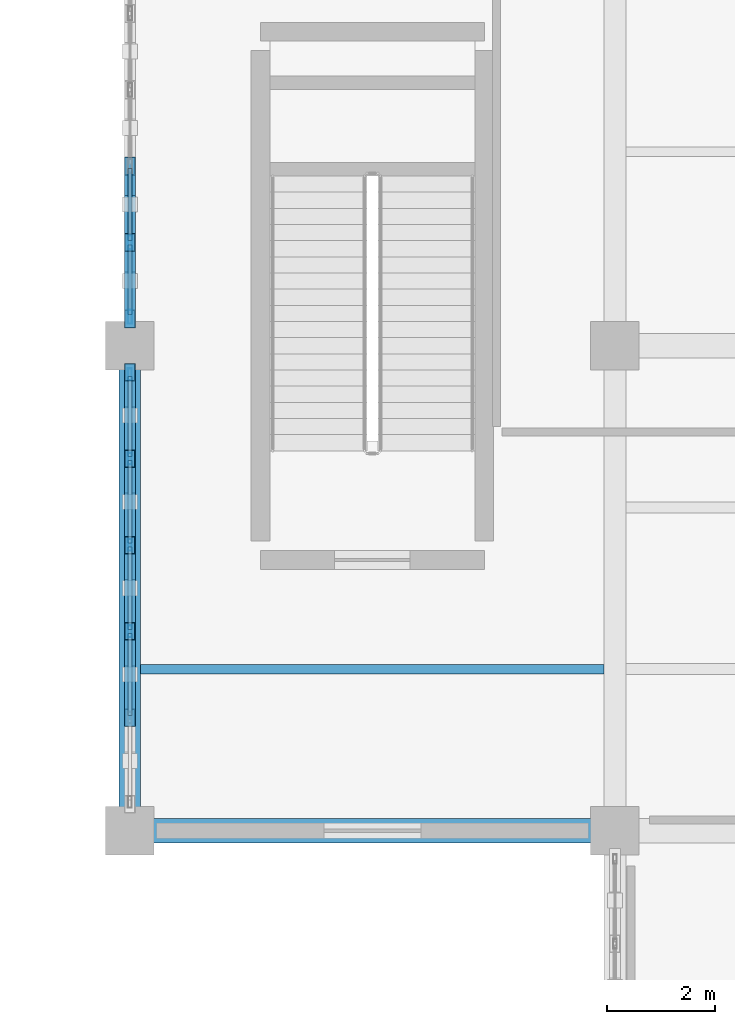
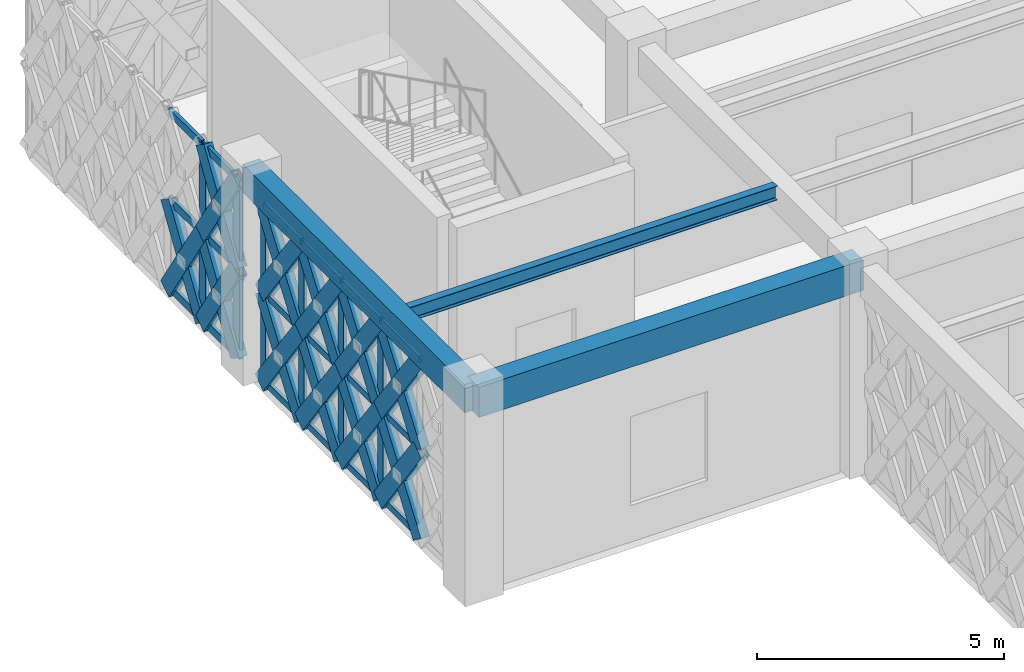
# One storey, part 70 of 166: 57 members, 3 beams, 2 elements without a shape of their own.
"""IFC4 building model written with IfcOpenShell, lengths in metres."""

from ifc_helpers import new_model, si_unit, direction, frame, origin, origin_2d, place, context, subcontext, project, spatial, rectangle, hollow_rectangle, i_section, extrude, material, material_profile, profile_set, type_object, element, aggregate, save


model = new_model("IFC4")

# Units and contexts
model_context = context("Model", 3, precision=1e-05, world=origin(), true_north=direction((0.0, 1.0)))
body_context = subcontext(model_context, "Body", "Model", "MODEL_VIEW")
ifc_project = project(units=[si_unit("LENGTHUNIT", "METRE"), si_unit("AREAUNIT", "SQUARE_METRE"), si_unit("VOLUMEUNIT", "CUBIC_METRE"), si_unit("PLANEANGLEUNIT", "RADIAN"), si_unit("MASSUNIT", "GRAM", prefix="KILO")], contexts=[model_context])

# Site, building, storey
site_placement = place(None, origin())
site = spatial("IfcSite", under=ifc_project, at=site_placement, CompositionType="ELEMENT")
building_placement = place(site_placement, origin())
building = spatial("IfcBuilding", under=site, at=building_placement, Name="Haizhuo Lancet Aquarium", CompositionType="ELEMENT")
storey_placement = place(building_placement, frame((0.0, 0.0, 5.39990234375)))
storey = spatial("IfcBuildingStorey", under=building, at=storey_placement, Name="L01", CompositionType="ELEMENT", Elevation=5.39990234375)

# Beams
ifc_material_1 = material(Name="Concrete C40/50", Category="concrete")
ifc_material_profile_1 = material_profile(ifc_material_1, rectangle(XDim=0.39990234375, YDim=0.699951171875, at=origin_2d()), Name="RC-BM 400x700")
ifc_profile_set_1 = profile_set([ifc_material_profile_1], Name="Concrete C40/50")
beam_type_1 = type_object("IfcBeamType", Name="BM-RC-400x700", PredefinedType="BEAM", material=ifc_profile_set_1)
beam_1_placement = place(storey_placement, frame((-27.0, 36.0, 4.7900390625), z_axis=(0.0, 1.0, 0.0), x_axis=(-1.0, 0.0, 0.0)))
element("IfcBeam", 1, at=beam_1_placement, inside=storey, type_object=beam_type_1, Name="L01 V5 primary girder BM-L01-V5-001", PredefinedType="BEAM", context=body_context, shape_type="SweptSolid", body=[
    extrude(rectangle(XDim=0.39990234375, YDim=0.699951171875, at=origin_2d()), origin(), (0.0, 0.0, 1.0), 9.0),
])
ifc_material_profile_2 = material_profile(ifc_material_1, rectangle(XDim=0.449951171875, YDim=0.75, at=origin_2d()), Name="RC-BM 450x750")
ifc_profile_set_2 = profile_set([ifc_material_profile_2], Name="Concrete C40/50")
beam_type_2 = type_object("IfcBeamType", Name="BM-RC-450x750", PredefinedType="BEAM", material=ifc_profile_set_2)
beam_2_placement = place(storey_placement, frame((-27.0, 36.0, 4.76513671875), z_axis=(1.0, 0.0, 0.0), x_axis=(0.0, 1.0, 0.0)))
element("IfcBeam", 2, at=beam_2_placement, inside=storey, type_object=beam_type_2, Name="L01 V5 primary girder BM-L01-V5-002", PredefinedType="BEAM", context=body_context, shape_type="SweptSolid", body=[
    extrude(rectangle(XDim=0.449951171875, YDim=0.75, at=origin_2d()), origin(), (0.0, 0.0, 1.0), 9.0),
])

# Curtain wall, members
ifc_material_2 = material(Name="Aluminium 6063-T6", Category="aluminium")
curtain_wall_type_1 = type_object("IfcCurtainWallType", Name="CWD-8010x4440", PredefinedType="NOTDEFINED", material=ifc_material_2)
curtain_wall_1_placement = place(storey_placement, origin())
curtain_wall_1 = element("IfcCurtainWall", 3, at=curtain_wall_1_placement, inside=storey, type_object=curtain_wall_type_1, Name="L01 curtain wall CW-V5-L01-128", PredefinedType="NOTDEFINED")
ifc_material_profile_3 = material_profile(ifc_material_2, hollow_rectangle(XDim=0.074951171875, YDim=0.219970703125, WallThickness=0.0048828125, at=origin_2d()), Name="ALU-M 75x220x5")
ifc_profile_set_3 = profile_set([ifc_material_profile_3], Name="Aluminium 6063-T6")
member_type_1 = type_object("IfcMemberType", Name="CW-MUL-2", PredefinedType="MULLION", material=ifc_profile_set_3)
member_1_placement = place(storey_placement, frame((-27.0, 39.698974609375, 0.0), z_axis=(0.0, 0.0, 1.0), x_axis=(-1.0, 0.0, 0.0)))
member_1 = element("IfcMember", 4, at=member_1_placement, type_object=member_type_1, Name="CWD-80x44 mullion 3", PredefinedType="MULLION", context=body_context, shape_type="SweptSolid", body=[
    extrude(hollow_rectangle(XDim=0.074951171875, YDim=0.219970703125, WallThickness=0.0048828125, at=origin_2d()), origin(), (0.0, 0.0, 1.0), 4.440185546875),
])
member_2_placement = place(storey_placement, frame((-27.0, 41.301025390625, 0.0), z_axis=(0.0, 0.0, 1.0), x_axis=(-1.0, 0.0, 0.0)))
member_2 = element("IfcMember", 5, at=member_2_placement, type_object=member_type_1, Name="CWD-80x44 mullion 4", PredefinedType="MULLION", context=body_context, shape_type="SweptSolid", body=[
    extrude(hollow_rectangle(XDim=0.074951171875, YDim=0.219970703125, WallThickness=0.0048828125, at=origin_2d()), origin(), (0.0, 0.0, 1.0), 4.440185546875),
])
member_3_placement = place(storey_placement, frame((-27.0, 42.903076171875, 0.0), z_axis=(0.0, 0.0, 1.0), x_axis=(-1.0, 0.0, 0.0)))
member_3 = element("IfcMember", 6, at=member_3_placement, type_object=member_type_1, Name="CWD-80x44 mullion 5", PredefinedType="MULLION", context=body_context, shape_type="SweptSolid", body=[
    extrude(hollow_rectangle(XDim=0.074951171875, YDim=0.219970703125, WallThickness=0.0048828125, at=origin_2d()), origin(), (0.0, 0.0, 1.0), 4.440185546875),
])
member_4_placement = place(storey_placement, frame((-27.0, 44.468017578125, 0.0), z_axis=(0.0, 0.0, 1.0), x_axis=(-1.0, 0.0, 0.0)))
member_4 = element("IfcMember", 7, at=member_4_placement, type_object=member_type_1, Name="CWD-80x44 mullion 6", PredefinedType="MULLION", context=body_context, shape_type="SweptSolid", body=[
    extrude(hollow_rectangle(XDim=0.074951171875, YDim=0.219970703125, WallThickness=0.0048828125, at=origin_2d()), origin(), (0.0, 0.0, 1.0), 4.440185546875),
])

curtain_wall_type_2 = type_object("IfcCurtainWallType", Name="CWD-8510x4420", PredefinedType="NOTDEFINED", material=ifc_material_2)
curtain_wall_2_placement = place(storey_placement, origin())
curtain_wall_2 = element("IfcCurtainWall", 8, at=curtain_wall_2_placement, inside=storey, type_object=curtain_wall_type_2, Name="L01 curtain wall CW-V5-L01-129", PredefinedType="NOTDEFINED")
ifc_material_profile_4 = material_profile(ifc_material_2, hollow_rectangle(XDim=0.080078125, YDim=0.260009765625, WallThickness=0.0048828125, at=origin_2d()), Name="ALU-M 80x260x5")
ifc_profile_set_4 = profile_set([ifc_material_profile_4], Name="Aluminium 6063-T6")
member_type_2 = type_object("IfcMemberType", Name="CW-MUL-3", PredefinedType="MULLION", material=ifc_profile_set_4)
member_5_placement = place(storey_placement, frame((-27.0, 45.534912109375, 0.0), z_axis=(0.0, 0.0, 1.0), x_axis=(-1.0, 0.0, 0.0)))
member_5 = element("IfcMember", 9, at=member_5_placement, type_object=member_type_2, Name="CWD-85x44 mullion 1", PredefinedType="MULLION", context=body_context, shape_type="SweptSolid", body=[
    extrude(hollow_rectangle(XDim=0.080078125, YDim=0.260009765625, WallThickness=0.0048828125, at=origin_2d()), origin(), (0.0, 0.0, 1.0), 4.425048828125),
])
member_6_placement = place(storey_placement, frame((-27.0, 46.912109375, 0.0), z_axis=(0.0, 0.0, 1.0), x_axis=(-1.0, 0.0, 0.0)))
member_6 = element("IfcMember", 10, at=member_6_placement, type_object=member_type_2, Name="CWD-85x44 mullion 2", PredefinedType="MULLION", context=body_context, shape_type="SweptSolid", body=[
    extrude(hollow_rectangle(XDim=0.080078125, YDim=0.260009765625, WallThickness=0.0048828125, at=origin_2d()), origin(), (0.0, 0.0, 1.0), 4.425048828125),
])

# Member
ifc_material_profile_5 = material_profile(ifc_material_2, hollow_rectangle(XDim=0.074951171875, YDim=0.159912109375, WallThickness=0.00390625, at=origin_2d()), Name="ALU-T 75x160x4")
ifc_profile_set_5 = profile_set([ifc_material_profile_5], Name="Aluminium 6063-T6")
member_type_3 = type_object("IfcMemberType", Name="CW-TRN-2", PredefinedType="NOTDEFINED", material=ifc_profile_set_5)
member_7_placement = place(storey_placement, frame((-27.0, 38.134033203125, 0.0380859375), z_axis=(0.0, 1.0, 0.0), x_axis=(-1.0, 0.0, 0.0)))
member_7 = element("IfcMember", 11, at=member_7_placement, type_object=member_type_3, Name="CWD-80x44 transom 2.1", ObjectType="TRANSOM", PredefinedType="USERDEFINED", context=body_context, shape_type="SweptSolid", body=[
    extrude(hollow_rectangle(XDim=0.074951171875, YDim=0.159912109375, WallThickness=0.00390625, at=origin_2d()), origin(), (0.0, 0.0, 1.0), 1.52685546875),
])

member_8_placement = place(storey_placement, frame((-27.0, 38.134033203125, 2.22021484375), z_axis=(0.0, 1.0, 0.0), x_axis=(-1.0, 0.0, 0.0)))
member_8 = element("IfcMember", 12, at=member_8_placement, type_object=member_type_3, Name="CWD-80x44 transom 2.2", ObjectType="TRANSOM", PredefinedType="USERDEFINED", context=body_context, shape_type="SweptSolid", body=[
    extrude(hollow_rectangle(XDim=0.074951171875, YDim=0.159912109375, WallThickness=0.00390625, at=origin_2d()), origin(), (0.0, 0.0, 1.0), 1.52685546875),
])

member_9_placement = place(storey_placement, frame((-27.0, 38.134033203125, 4.403076171875), z_axis=(0.0, 1.0, 0.0), x_axis=(-1.0, 0.0, 0.0)))
member_9 = element("IfcMember", 13, at=member_9_placement, type_object=member_type_3, Name="CWD-80x44 transom 2.3", ObjectType="TRANSOM", PredefinedType="USERDEFINED", context=body_context, shape_type="SweptSolid", body=[
    extrude(hollow_rectangle(XDim=0.074951171875, YDim=0.159912109375, WallThickness=0.00390625, at=origin_2d()), origin(), (0.0, 0.0, 1.0), 1.52685546875),
])

member_10_placement = place(storey_placement, frame((-27.0, 39.736083984375, 0.0380859375), z_axis=(0.0, 1.0, 0.0), x_axis=(-1.0, 0.0, 0.0)))
member_10 = element("IfcMember", 14, at=member_10_placement, type_object=member_type_3, Name="CWD-80x44 transom 3.1", ObjectType="TRANSOM", PredefinedType="USERDEFINED", context=body_context, shape_type="SweptSolid", body=[
    extrude(hollow_rectangle(XDim=0.074951171875, YDim=0.159912109375, WallThickness=0.00390625, at=origin_2d()), origin(), (0.0, 0.0, 1.0), 1.52783203125),
])

member_11_placement = place(storey_placement, frame((-27.0, 39.736083984375, 2.22021484375), z_axis=(0.0, 1.0, 0.0), x_axis=(-1.0, 0.0, 0.0)))
member_11 = element("IfcMember", 15, at=member_11_placement, type_object=member_type_3, Name="CWD-80x44 transom 3.2", ObjectType="TRANSOM", PredefinedType="USERDEFINED", context=body_context, shape_type="SweptSolid", body=[
    extrude(hollow_rectangle(XDim=0.074951171875, YDim=0.159912109375, WallThickness=0.00390625, at=origin_2d()), origin(), (0.0, 0.0, 1.0), 1.52783203125),
])

member_12_placement = place(storey_placement, frame((-27.0, 39.736083984375, 4.403076171875), z_axis=(0.0, 1.0, 0.0), x_axis=(-1.0, 0.0, 0.0)))
member_12 = element("IfcMember", 16, at=member_12_placement, type_object=member_type_3, Name="CWD-80x44 transom 3.3", ObjectType="TRANSOM", PredefinedType="USERDEFINED", context=body_context, shape_type="SweptSolid", body=[
    extrude(hollow_rectangle(XDim=0.074951171875, YDim=0.159912109375, WallThickness=0.00390625, at=origin_2d()), origin(), (0.0, 0.0, 1.0), 1.52783203125),
])

member_13_placement = place(storey_placement, frame((-27.0, 41.337890625, 0.0380859375), z_axis=(0.0, 1.0, 0.0), x_axis=(-1.0, 0.0, 0.0)))
member_13 = element("IfcMember", 17, at=member_13_placement, type_object=member_type_3, Name="CWD-80x44 transom 4.1", ObjectType="TRANSOM", PredefinedType="USERDEFINED", context=body_context, shape_type="SweptSolid", body=[
    extrude(hollow_rectangle(XDim=0.074951171875, YDim=0.159912109375, WallThickness=0.00390625, at=origin_2d()), origin(), (0.0, 0.0, 1.0), 1.528076171875),
])

member_14_placement = place(storey_placement, frame((-27.0, 41.337890625, 2.22021484375), z_axis=(0.0, 1.0, 0.0), x_axis=(-1.0, 0.0, 0.0)))
member_14 = element("IfcMember", 18, at=member_14_placement, type_object=member_type_3, Name="CWD-80x44 transom 4.2", ObjectType="TRANSOM", PredefinedType="USERDEFINED", context=body_context, shape_type="SweptSolid", body=[
    extrude(hollow_rectangle(XDim=0.074951171875, YDim=0.159912109375, WallThickness=0.00390625, at=origin_2d()), origin(), (0.0, 0.0, 1.0), 1.528076171875),
])

member_15_placement = place(storey_placement, frame((-27.0, 41.337890625, 4.403076171875), z_axis=(0.0, 1.0, 0.0), x_axis=(-1.0, 0.0, 0.0)))
member_15 = element("IfcMember", 19, at=member_15_placement, type_object=member_type_3, Name="CWD-80x44 transom 4.3", ObjectType="TRANSOM", PredefinedType="USERDEFINED", context=body_context, shape_type="SweptSolid", body=[
    extrude(hollow_rectangle(XDim=0.074951171875, YDim=0.159912109375, WallThickness=0.00390625, at=origin_2d()), origin(), (0.0, 0.0, 1.0), 1.528076171875),
])

member_16_placement = place(storey_placement, frame((-27.0, 42.94091796875, 0.0380859375), z_axis=(0.0, 1.0, 0.0), x_axis=(-1.0, 0.0, 0.0)))
member_16 = element("IfcMember", 20, at=member_16_placement, type_object=member_type_3, Name="CWD-80x44 transom 5.1", ObjectType="TRANSOM", PredefinedType="USERDEFINED", context=body_context, shape_type="SweptSolid", body=[
    extrude(hollow_rectangle(XDim=0.074951171875, YDim=0.159912109375, WallThickness=0.00390625, at=origin_2d()), origin(), (0.0, 0.0, 1.0), 1.489013671875),
])

member_17_placement = place(storey_placement, frame((-27.0, 42.94091796875, 2.22021484375), z_axis=(0.0, 1.0, 0.0), x_axis=(-1.0, 0.0, 0.0)))
member_17 = element("IfcMember", 21, at=member_17_placement, type_object=member_type_3, Name="CWD-80x44 transom 5.2", ObjectType="TRANSOM", PredefinedType="USERDEFINED", context=body_context, shape_type="SweptSolid", body=[
    extrude(hollow_rectangle(XDim=0.074951171875, YDim=0.159912109375, WallThickness=0.00390625, at=origin_2d()), origin(), (0.0, 0.0, 1.0), 1.489013671875),
])

member_18_placement = place(storey_placement, frame((-27.0, 42.94091796875, 4.403076171875), z_axis=(0.0, 1.0, 0.0), x_axis=(-1.0, 0.0, 0.0)))
member_18 = element("IfcMember", 22, at=member_18_placement, type_object=member_type_3, Name="CWD-80x44 transom 5.3", ObjectType="TRANSOM", PredefinedType="USERDEFINED", context=body_context, shape_type="SweptSolid", body=[
    extrude(hollow_rectangle(XDim=0.074951171875, YDim=0.159912109375, WallThickness=0.00390625, at=origin_2d()), origin(), (0.0, 0.0, 1.0), 1.489013671875),
])

aggregate(curtain_wall_1, [member_1, member_2, member_3, member_4, member_7, member_8, member_9, member_10, member_11, member_12, member_13, member_14, member_15, member_16, member_17, member_18])

ifc_material_profile_6 = material_profile(ifc_material_2, hollow_rectangle(XDim=0.080078125, YDim=0.18994140625, WallThickness=0.0048828125, at=origin_2d()), Name="ALU-T 80x190x5")
ifc_profile_set_6 = profile_set([ifc_material_profile_6], Name="Aluminium 6063-T6")
member_type_4 = type_object("IfcMemberType", Name="CW-TRN-3", PredefinedType="NOTDEFINED", material=ifc_profile_set_6)
member_19_placement = place(storey_placement, frame((-27.0, 45.574951171875, 0.0400390625), z_axis=(0.0, 1.0, 0.0), x_axis=(-1.0, 0.0, 0.0)))
member_19 = element("IfcMember", 23, at=member_19_placement, type_object=member_type_4, Name="CWD-85x44 transom 1.1", ObjectType="TRANSOM", PredefinedType="USERDEFINED", context=body_context, shape_type="SweptSolid", body=[
    extrude(hollow_rectangle(XDim=0.080078125, YDim=0.18994140625, WallThickness=0.0048828125, at=origin_2d()), origin(), (0.0, 0.0, 1.0), 1.297119140625),
])

member_20_placement = place(storey_placement, frame((-27.0, 45.574951171875, 2.212158203125), z_axis=(0.0, 1.0, 0.0), x_axis=(-1.0, 0.0, 0.0)))
member_20 = element("IfcMember", 24, at=member_20_placement, type_object=member_type_4, Name="CWD-85x44 transom 1.2", ObjectType="TRANSOM", PredefinedType="USERDEFINED", context=body_context, shape_type="SweptSolid", body=[
    extrude(hollow_rectangle(XDim=0.080078125, YDim=0.18994140625, WallThickness=0.0048828125, at=origin_2d()), origin(), (0.0, 0.0, 1.0), 1.297119140625),
])

member_21_placement = place(storey_placement, frame((-27.0, 45.574951171875, 4.385009765625), z_axis=(0.0, 1.0, 0.0), x_axis=(-1.0, 0.0, 0.0)))
member_21 = element("IfcMember", 25, at=member_21_placement, type_object=member_type_4, Name="CWD-85x44 transom 1.3", ObjectType="TRANSOM", PredefinedType="USERDEFINED", context=body_context, shape_type="SweptSolid", body=[
    extrude(hollow_rectangle(XDim=0.080078125, YDim=0.18994140625, WallThickness=0.0048828125, at=origin_2d()), origin(), (0.0, 0.0, 1.0), 1.297119140625),
])

member_22_placement = place(storey_placement, frame((-27.0, 46.952880859375, 0.0400390625), z_axis=(0.0, 1.0, 0.0), x_axis=(-1.0, 0.0, 0.0)))
member_22 = element("IfcMember", 26, at=member_22_placement, type_object=member_type_4, Name="CWD-85x44 transom 2.1", ObjectType="TRANSOM", PredefinedType="USERDEFINED", context=body_context, shape_type="SweptSolid", body=[
    extrude(hollow_rectangle(XDim=0.080078125, YDim=0.18994140625, WallThickness=0.0048828125, at=origin_2d()), origin(), (0.0, 0.0, 1.0), 1.337158203125),
])

member_23_placement = place(storey_placement, frame((-27.0, 46.952880859375, 2.212158203125), z_axis=(0.0, 1.0, 0.0), x_axis=(-1.0, 0.0, 0.0)))
member_23 = element("IfcMember", 27, at=member_23_placement, type_object=member_type_4, Name="CWD-85x44 transom 2.2", ObjectType="TRANSOM", PredefinedType="USERDEFINED", context=body_context, shape_type="SweptSolid", body=[
    extrude(hollow_rectangle(XDim=0.080078125, YDim=0.18994140625, WallThickness=0.0048828125, at=origin_2d()), origin(), (0.0, 0.0, 1.0), 1.337158203125),
])

member_24_placement = place(storey_placement, frame((-27.0, 46.952880859375, 4.385009765625), z_axis=(0.0, 1.0, 0.0), x_axis=(-1.0, 0.0, 0.0)))
member_24 = element("IfcMember", 28, at=member_24_placement, type_object=member_type_4, Name="CWD-85x44 transom 2.3", ObjectType="TRANSOM", PredefinedType="USERDEFINED", context=body_context, shape_type="SweptSolid", body=[
    extrude(hollow_rectangle(XDim=0.080078125, YDim=0.18994140625, WallThickness=0.0048828125, at=origin_2d()), origin(), (0.0, 0.0, 1.0), 1.337158203125),
])

aggregate(curtain_wall_2, [member_5, member_6, member_19, member_20, member_21, member_22, member_23, member_24])

# Beam
ifc_material_3 = material(Name="Steel S355", Category="steel")
ifc_material_profile_7 = material_profile(ifc_material_3, i_section(OverallWidth=0.175048828125, OverallDepth=0.35009765625, WebThickness=0.007080078125, FlangeThickness=0.010986328125, FilletRadius=0.013916015625, at=origin_2d()), Name="HN 350x175x7x11")
ifc_profile_set_7 = profile_set([ifc_material_profile_7], Name="Steel S355")
beam_type_3 = type_object("IfcBeamType", Name="JST-ST-HN350", PredefinedType="JOIST", material=ifc_profile_set_7)
beam_3_placement = place(storey_placement, frame((-26.800048828125, 39.0, 4.965087890625), z_axis=(1.0, 0.0, 0.0), x_axis=(0.0, 1.0, 0.0)))
element("IfcBeam", 29, at=beam_3_placement, inside=storey, type_object=beam_type_3, Name="L01 V5 secondary floor joist 1", PredefinedType="JOIST", context=body_context, shape_type="SweptSolid", body=[
    extrude(i_section(OverallWidth=0.175048828125, OverallDepth=0.35009765625, WebThickness=0.007080078125, FlangeThickness=0.010986328125, FilletRadius=0.013916015625, at=origin_2d()), origin(), (0.0, 0.0, 1.0), 8.60009765625),
])

# Members
ifc_material_profile_8 = material_profile(ifc_material_3, hollow_rectangle(XDim=0.199951171875, YDim=0.39990234375, WallThickness=0.011962890625, at=origin_2d()), Name="RHS 200x400x12")
ifc_profile_set_8 = profile_set([ifc_material_profile_8], Name="Steel S355")
member_type_5 = type_object("IfcMemberType", Name="MEM-LB-RHS200x400", PredefinedType="BRACE", material=ifc_profile_set_8)
member_25_placement = place(storey_placement, frame((-27.0, 38.096923828125, 0.0), z_axis=(0.0, 0.585145389624, 0.810928401896), x_axis=(-1.0, 0.0, 0.0)))
element("IfcMember", 30, at=member_25_placement, inside=storey, type_object=member_type_5, Name="Gothic lancet continuous diagonal brace CW-V5-L01-128 3A", PredefinedType="BRACE", context=body_context, shape_type="SweptSolid", body=[
    extrude(hollow_rectangle(XDim=0.199951171875, YDim=0.39990234375, WallThickness=0.011962890625, at=origin_2d()), origin(), (0.0, 0.0, 1.0), 2.73779296875),
])
for number, where, z_axis, x_axis, name in (
    (31, (-27.0, 39.698974609375, 0.0), (0.0, -0.585145389624, 0.810928401896), (1.0, 0.0, 0.0), "Gothic lancet split diagonal brace CW-V5-L01-128 3B1"),
    (32, (-27.0, 38.89794921875, 1.110107421875), (0.0, -0.585145389624, 0.810928401896), (1.0, 0.0, 0.0), "Gothic lancet split diagonal brace CW-V5-L01-128 3B2"),
):
    element("IfcMember", number, at=place(storey_placement, frame(where, z_axis=z_axis, x_axis=x_axis)), inside=storey, type_object=member_type_5, Name=name, PredefinedType="BRACE", context=body_context, shape_type="SweptSolid", body=[
        extrude(hollow_rectangle(XDim=0.199951171875, YDim=0.39990234375, WallThickness=0.011962890625, at=origin_2d()), origin(), (0.0, 0.0, 1.0), 1.368896484375),
    ])
member_26_placement = place(storey_placement, frame((-27.0, 38.096923828125, 2.22021484375), z_axis=(0.0, 0.585187704891, 0.810897866592), x_axis=(-1.0, 0.0, 0.0)))
element("IfcMember", 33, at=member_26_placement, inside=storey, type_object=member_type_5, Name="Gothic lancet continuous diagonal brace CW-V5-L01-128 4A", PredefinedType="BRACE", context=body_context, shape_type="SweptSolid", body=[
    extrude(hollow_rectangle(XDim=0.199951171875, YDim=0.39990234375, WallThickness=0.011962890625, at=origin_2d()), origin(), (0.0, 0.0, 1.0), 2.737548828125),
])
member_27_placement = place(storey_placement, frame((-27.0, 39.698974609375, 2.22021484375), z_axis=(0.0, -0.585230024685, 0.810867324663), x_axis=(1.0, 0.0, 0.0)))
element("IfcMember", 34, at=member_27_placement, inside=storey, type_object=member_type_5, Name="Gothic lancet split diagonal brace CW-V5-L01-128 4B1", PredefinedType="BRACE", context=body_context, shape_type="SweptSolid", body=[
    extrude(hollow_rectangle(XDim=0.199951171875, YDim=0.39990234375, WallThickness=0.011962890625, at=origin_2d()), origin(), (0.0, 0.0, 1.0), 1.36865234375),
])
member_28_placement = place(storey_placement, frame((-27.0, 38.89794921875, 3.330078125), z_axis=(0.0, -0.585145389624, 0.810928401896), x_axis=(1.0, 0.0, 0.0)))
element("IfcMember", 35, at=member_28_placement, inside=storey, type_object=member_type_5, Name="Gothic lancet split diagonal brace CW-V5-L01-128 4B2", PredefinedType="BRACE", context=body_context, shape_type="SweptSolid", body=[
    extrude(hollow_rectangle(XDim=0.199951171875, YDim=0.39990234375, WallThickness=0.011962890625, at=origin_2d()), origin(), (0.0, 0.0, 1.0), 1.368896484375),
])
member_29_placement = place(storey_placement, frame((-27.0, 39.698974609375, 0.0), z_axis=(0.0, 0.585145389624, 0.810928401896), x_axis=(-1.0, 0.0, 0.0)))
element("IfcMember", 36, at=member_29_placement, inside=storey, type_object=member_type_5, Name="Gothic lancet continuous diagonal brace CW-V5-L01-128 5A", PredefinedType="BRACE", context=body_context, shape_type="SweptSolid", body=[
    extrude(hollow_rectangle(XDim=0.199951171875, YDim=0.39990234375, WallThickness=0.011962890625, at=origin_2d()), origin(), (0.0, 0.0, 1.0), 2.73779296875),
])
for number, where, z_axis, x_axis, name in (
    (37, (-27.0, 41.301025390625, 0.0), (0.0, -0.585145389624, 0.810928401896), (1.0, 0.0, 0.0), "Gothic lancet split diagonal brace CW-V5-L01-128 5B1"),
    (38, (-27.0, 40.5, 1.110107421875), (0.0, -0.585145389624, 0.810928401896), (1.0, 0.0, 0.0), "Gothic lancet split diagonal brace CW-V5-L01-128 5B2"),
):
    element("IfcMember", number, at=place(storey_placement, frame(where, z_axis=z_axis, x_axis=x_axis)), inside=storey, type_object=member_type_5, Name=name, PredefinedType="BRACE", context=body_context, shape_type="SweptSolid", body=[
        extrude(hollow_rectangle(XDim=0.199951171875, YDim=0.39990234375, WallThickness=0.011962890625, at=origin_2d()), origin(), (0.0, 0.0, 1.0), 1.368896484375),
    ])
member_30_placement = place(storey_placement, frame((-27.0, 39.698974609375, 2.22021484375), z_axis=(0.0, 0.585187704891, 0.810897866592), x_axis=(-1.0, 0.0, 0.0)))
element("IfcMember", 39, at=member_30_placement, inside=storey, type_object=member_type_5, Name="Gothic lancet continuous diagonal brace CW-V5-L01-128 6A", PredefinedType="BRACE", context=body_context, shape_type="SweptSolid", body=[
    extrude(hollow_rectangle(XDim=0.199951171875, YDim=0.39990234375, WallThickness=0.011962890625, at=origin_2d()), origin(), (0.0, 0.0, 1.0), 2.737548828125),
])
member_31_placement = place(storey_placement, frame((-27.0, 41.301025390625, 2.22021484375), z_axis=(0.0, -0.585230024685, 0.810867324663), x_axis=(1.0, 0.0, 0.0)))
element("IfcMember", 40, at=member_31_placement, inside=storey, type_object=member_type_5, Name="Gothic lancet split diagonal brace CW-V5-L01-128 6B1", PredefinedType="BRACE", context=body_context, shape_type="SweptSolid", body=[
    extrude(hollow_rectangle(XDim=0.199951171875, YDim=0.39990234375, WallThickness=0.011962890625, at=origin_2d()), origin(), (0.0, 0.0, 1.0), 1.36865234375),
])
member_32_placement = place(storey_placement, frame((-27.0, 40.5, 3.330078125), z_axis=(0.0, -0.585145389624, 0.810928401896), x_axis=(1.0, 0.0, 0.0)))
element("IfcMember", 41, at=member_32_placement, inside=storey, type_object=member_type_5, Name="Gothic lancet split diagonal brace CW-V5-L01-128 6B2", PredefinedType="BRACE", context=body_context, shape_type="SweptSolid", body=[
    extrude(hollow_rectangle(XDim=0.199951171875, YDim=0.39990234375, WallThickness=0.011962890625, at=origin_2d()), origin(), (0.0, 0.0, 1.0), 1.368896484375),
])
member_33_placement = place(storey_placement, frame((-27.0, 41.301025390625, 0.0), z_axis=(0.0, 0.585145389624, 0.810928401896), x_axis=(-1.0, 0.0, 0.0)))
element("IfcMember", 42, at=member_33_placement, inside=storey, type_object=member_type_5, Name="Gothic lancet continuous diagonal brace CW-V5-L01-128 7A", PredefinedType="BRACE", context=body_context, shape_type="SweptSolid", body=[
    extrude(hollow_rectangle(XDim=0.199951171875, YDim=0.39990234375, WallThickness=0.011962890625, at=origin_2d()), origin(), (0.0, 0.0, 1.0), 2.73779296875),
])
for number, where, z_axis, x_axis, name in (
    (43, (-27.0, 42.903076171875, 0.0), (0.0, -0.585145389624, 0.810928401896), (1.0, 0.0, 0.0), "Gothic lancet split diagonal brace CW-V5-L01-128 7B1"),
    (44, (-27.0, 42.10205078125, 1.110107421875), (0.0, -0.585145389624, 0.810928401896), (1.0, 0.0, 0.0), "Gothic lancet split diagonal brace CW-V5-L01-128 7B2"),
):
    element("IfcMember", number, at=place(storey_placement, frame(where, z_axis=z_axis, x_axis=x_axis)), inside=storey, type_object=member_type_5, Name=name, PredefinedType="BRACE", context=body_context, shape_type="SweptSolid", body=[
        extrude(hollow_rectangle(XDim=0.199951171875, YDim=0.39990234375, WallThickness=0.011962890625, at=origin_2d()), origin(), (0.0, 0.0, 1.0), 1.368896484375),
    ])
member_34_placement = place(storey_placement, frame((-27.0, 41.301025390625, 2.22021484375), z_axis=(0.0, 0.585187704891, 0.810897866592), x_axis=(-1.0, 0.0, 0.0)))
element("IfcMember", 45, at=member_34_placement, inside=storey, type_object=member_type_5, Name="Gothic lancet continuous diagonal brace CW-V5-L01-128 8A", PredefinedType="BRACE", context=body_context, shape_type="SweptSolid", body=[
    extrude(hollow_rectangle(XDim=0.199951171875, YDim=0.39990234375, WallThickness=0.011962890625, at=origin_2d()), origin(), (0.0, 0.0, 1.0), 2.737548828125),
])
member_35_placement = place(storey_placement, frame((-27.0, 42.903076171875, 2.22021484375), z_axis=(0.0, -0.585230024685, 0.810867324663), x_axis=(1.0, 0.0, 0.0)))
element("IfcMember", 46, at=member_35_placement, inside=storey, type_object=member_type_5, Name="Gothic lancet split diagonal brace CW-V5-L01-128 8B1", PredefinedType="BRACE", context=body_context, shape_type="SweptSolid", body=[
    extrude(hollow_rectangle(XDim=0.199951171875, YDim=0.39990234375, WallThickness=0.011962890625, at=origin_2d()), origin(), (0.0, 0.0, 1.0), 1.36865234375),
])
member_36_placement = place(storey_placement, frame((-27.0, 42.10205078125, 3.330078125), z_axis=(0.0, -0.585145389624, 0.810928401896), x_axis=(1.0, 0.0, 0.0)))
element("IfcMember", 47, at=member_36_placement, inside=storey, type_object=member_type_5, Name="Gothic lancet split diagonal brace CW-V5-L01-128 8B2", PredefinedType="BRACE", context=body_context, shape_type="SweptSolid", body=[
    extrude(hollow_rectangle(XDim=0.199951171875, YDim=0.39990234375, WallThickness=0.011962890625, at=origin_2d()), origin(), (0.0, 0.0, 1.0), 1.368896484375),
])
member_37_placement = place(storey_placement, frame((-27.0, 42.903076171875, 0.0), z_axis=(0.0, 0.58508674522, 0.810970714988), x_axis=(-1.0, 0.0, 0.0)))
element("IfcMember", 48, at=member_37_placement, inside=storey, type_object=member_type_5, Name="Gothic lancet continuous diagonal brace CW-V5-L01-128 9A", PredefinedType="BRACE", context=body_context, shape_type="SweptSolid", body=[
    extrude(hollow_rectangle(XDim=0.199951171875, YDim=0.39990234375, WallThickness=0.011962890625, at=origin_2d()), origin(), (0.0, 0.0, 1.0), 2.73779296875),
])
for number, where, z_axis, x_axis, name in (
    (49, (-27.0, 44.5048828125, 0.0), (0.0, -0.585028091636, 0.811013028253), (1.0, 0.0, 0.0), "Gothic lancet split diagonal brace CW-V5-L01-128 9B1"),
    (50, (-27.0, 43.7041015625, 1.110107421875), (0.0, -0.585145389624, 0.810928401896), (1.0, 0.0, 0.0), "Gothic lancet split diagonal brace CW-V5-L01-128 9B2"),
):
    element("IfcMember", number, at=place(storey_placement, frame(where, z_axis=z_axis, x_axis=x_axis)), inside=storey, type_object=member_type_5, Name=name, PredefinedType="BRACE", context=body_context, shape_type="SweptSolid", body=[
        extrude(hollow_rectangle(XDim=0.199951171875, YDim=0.39990234375, WallThickness=0.011962890625, at=origin_2d()), origin(), (0.0, 0.0, 1.0), 1.368896484375),
    ])
member_38_placement = place(storey_placement, frame((-27.0, 42.903076171875, 2.22021484375), z_axis=(0.0, 0.585129060663, 0.810940184211), x_axis=(-1.0, 0.0, 0.0)))
element("IfcMember", 51, at=member_38_placement, inside=storey, type_object=member_type_5, Name="Gothic lancet continuous diagonal brace CW-V5-L01-128 10A", PredefinedType="BRACE", context=body_context, shape_type="SweptSolid", body=[
    extrude(hollow_rectangle(XDim=0.199951171875, YDim=0.39990234375, WallThickness=0.011962890625, at=origin_2d()), origin(), (0.0, 0.0, 1.0), 2.737548828125),
])
member_39_placement = place(storey_placement, frame((-27.0, 44.5048828125, 2.22021484375), z_axis=(0.0, -0.585112727398, 0.810951969131), x_axis=(1.0, 0.0, 0.0)))
element("IfcMember", 52, at=member_39_placement, inside=storey, type_object=member_type_5, Name="Gothic lancet split diagonal brace CW-V5-L01-128 10B1", PredefinedType="BRACE", context=body_context, shape_type="SweptSolid", body=[
    extrude(hollow_rectangle(XDim=0.199951171875, YDim=0.39990234375, WallThickness=0.011962890625, at=origin_2d()), origin(), (0.0, 0.0, 1.0), 1.36865234375),
])
member_40_placement = place(storey_placement, frame((-27.0, 43.7041015625, 3.330078125), z_axis=(0.0, -0.585145389624, 0.810928401896), x_axis=(1.0, 0.0, 0.0)))
element("IfcMember", 53, at=member_40_placement, inside=storey, type_object=member_type_5, Name="Gothic lancet split diagonal brace CW-V5-L01-128 10B2", PredefinedType="BRACE", context=body_context, shape_type="SweptSolid", body=[
    extrude(hollow_rectangle(XDim=0.199951171875, YDim=0.39990234375, WallThickness=0.011962890625, at=origin_2d()), origin(), (0.0, 0.0, 1.0), 1.368896484375),
])
member_41_placement = place(storey_placement, frame((-27.0, 45.4951171875, 0.0), z_axis=(0.0, 0.539380660315, 0.842062054292), x_axis=(-1.0, 0.0, 0.0)))
element("IfcMember", 54, at=member_41_placement, inside=storey, type_object=member_type_5, Name="Gothic lancet continuous diagonal brace CW-V5-L01-129 1A", PredefinedType="BRACE", context=body_context, shape_type="SweptSolid", body=[
    extrude(hollow_rectangle(XDim=0.199951171875, YDim=0.39990234375, WallThickness=0.011962890625, at=origin_2d()), origin(), (0.0, 0.0, 1.0), 2.626953125),
])
member_42_placement = place(storey_placement, frame((-27.0, 46.912109375, 0.0), z_axis=(0.0, -0.539733643216, 0.841835847646), x_axis=(1.0, 0.0, 0.0)))
element("IfcMember", 55, at=member_42_placement, inside=storey, type_object=member_type_5, Name="Gothic lancet split diagonal brace CW-V5-L01-129 1B1", PredefinedType="BRACE", context=body_context, shape_type="SweptSolid", body=[
    extrude(hollow_rectangle(XDim=0.199951171875, YDim=0.39990234375, WallThickness=0.011962890625, at=origin_2d()), origin(), (0.0, 0.0, 1.0), 1.31396484375),
])
member_43_placement = place(storey_placement, frame((-27.0, 46.202880859375, 1.106201171875), z_axis=(0.0, -0.53902731483, 0.842288284299), x_axis=(1.0, 0.0, 0.0)))
element("IfcMember", 56, at=member_43_placement, inside=storey, type_object=member_type_5, Name="Gothic lancet split diagonal brace CW-V5-L01-129 1B2", PredefinedType="BRACE", context=body_context, shape_type="SweptSolid", body=[
    extrude(hollow_rectangle(XDim=0.199951171875, YDim=0.39990234375, WallThickness=0.011962890625, at=origin_2d()), origin(), (0.0, 0.0, 1.0), 1.31298828125),
])
member_44_placement = place(storey_placement, frame((-27.0, 45.4951171875, 2.212158203125), z_axis=(0.0, 0.53925405625, 0.842143136776), x_axis=(-1.0, 0.0, 0.0)))
element("IfcMember", 57, at=member_44_placement, inside=storey, type_object=member_type_5, Name="Gothic lancet continuous diagonal brace CW-V5-L01-129 2A", PredefinedType="BRACE", context=body_context, shape_type="SweptSolid", body=[
    extrude(hollow_rectangle(XDim=0.199951171875, YDim=0.39990234375, WallThickness=0.011962890625, at=origin_2d()), origin(), (0.0, 0.0, 1.0), 2.627685546875),
])
member_45_placement = place(storey_placement, frame((-27.0, 46.912109375, 2.212158203125), z_axis=(0.0, -0.539818072717, 0.84178171064), x_axis=(1.0, 0.0, 0.0)))
element("IfcMember", 58, at=member_45_placement, inside=storey, type_object=member_type_5, Name="Gothic lancet split diagonal brace CW-V5-L01-129 2B1", PredefinedType="BRACE", context=body_context, shape_type="SweptSolid", body=[
    extrude(hollow_rectangle(XDim=0.199951171875, YDim=0.39990234375, WallThickness=0.011962890625, at=origin_2d()), origin(), (0.0, 0.0, 1.0), 1.313720703125),
])
member_46_placement = place(storey_placement, frame((-27.0, 46.202880859375, 3.318115234375), z_axis=(0.0, -0.538689811748, 0.842504176084), x_axis=(1.0, 0.0, 0.0)))
element("IfcMember", 59, at=member_46_placement, inside=storey, type_object=member_type_5, Name="Gothic lancet split diagonal brace CW-V5-L01-129 2B2", PredefinedType="BRACE", context=body_context, shape_type="SweptSolid", body=[
    extrude(hollow_rectangle(XDim=0.199951171875, YDim=0.39990234375, WallThickness=0.011962890625, at=origin_2d()), origin(), (0.0, 0.0, 1.0), 1.31396484375),
])
member_47_placement = place(storey_placement, frame((-27.0, 46.912109375, 0.0), z_axis=(0.0, 0.539644163294, 0.841893209987), x_axis=(-1.0, 0.0, 0.0)))
element("IfcMember", 60, at=member_47_placement, inside=storey, type_object=member_type_5, Name="Gothic lancet continuous diagonal brace CW-V5-L01-129 3A", PredefinedType="BRACE", context=body_context, shape_type="SweptSolid", body=[
    extrude(hollow_rectangle(XDim=0.199951171875, YDim=0.39990234375, WallThickness=0.011962890625, at=origin_2d()), origin(), (0.0, 0.0, 1.0), 2.627685546875),
])
member_48_placement = place(storey_placement, frame((-27.0, 48.330078125, 0.0), z_axis=(0.0, -0.539601953, 0.841920264822), x_axis=(1.0, 0.0, 0.0)))
element("IfcMember", 61, at=member_48_placement, inside=storey, type_object=member_type_5, Name="Gothic lancet split diagonal brace CW-V5-L01-129 3B1", PredefinedType="BRACE", context=body_context, shape_type="SweptSolid", body=[
    extrude(hollow_rectangle(XDim=0.199951171875, YDim=0.39990234375, WallThickness=0.011962890625, at=origin_2d()), origin(), (0.0, 0.0, 1.0), 1.31396484375),
])
member_49_placement = place(storey_placement, frame((-27.0, 47.62109375, 1.106201171875), z_axis=(0.0, -0.539686378835, 0.841866148803), x_axis=(1.0, 0.0, 0.0)))
element("IfcMember", 62, at=member_49_placement, inside=storey, type_object=member_type_5, Name="Gothic lancet split diagonal brace CW-V5-L01-129 3B2", PredefinedType="BRACE", context=body_context, shape_type="SweptSolid", body=[
    extrude(hollow_rectangle(XDim=0.199951171875, YDim=0.39990234375, WallThickness=0.011962890625, at=origin_2d()), origin(), (0.0, 0.0, 1.0), 1.313720703125),
])

save(model, "model.ifc")
